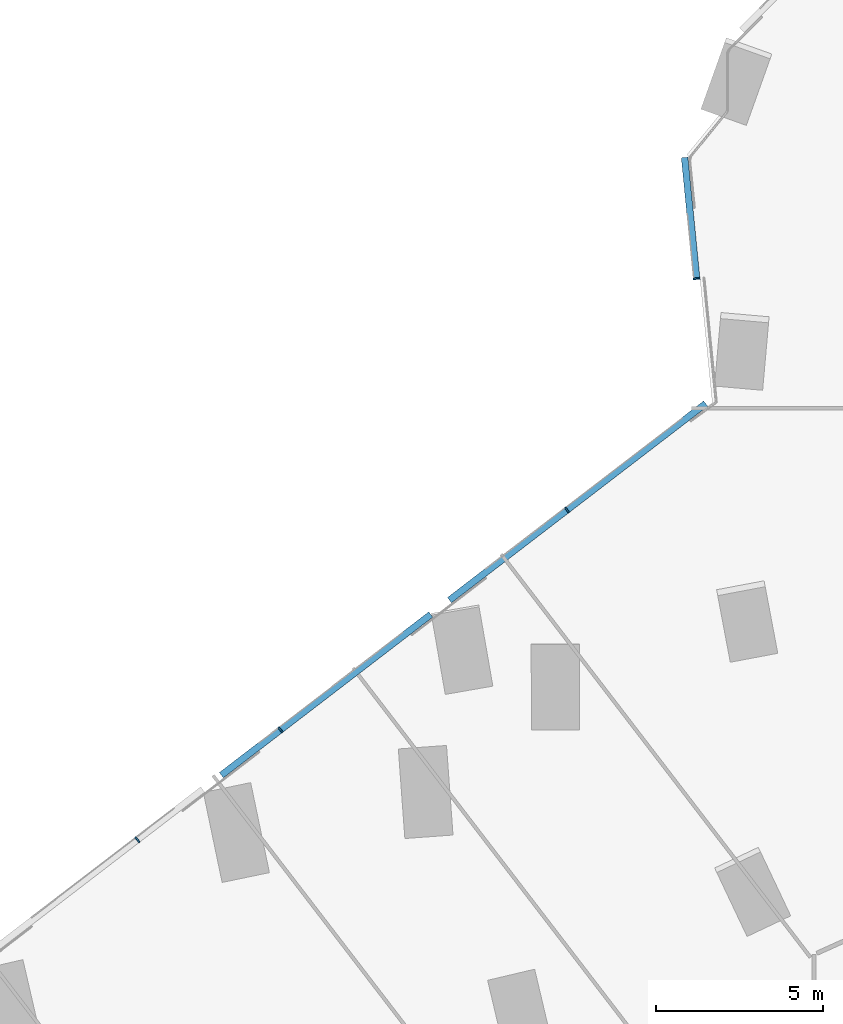
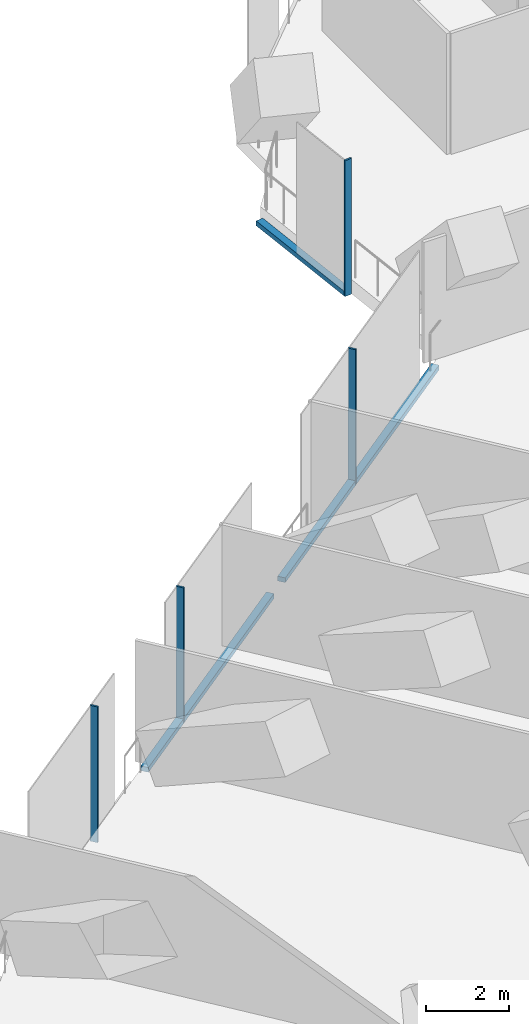
# One storey, part 6 of 32: 7 members, 2 elements without a shape of their own.
"""IFC4 building model written with IfcOpenShell, lengths in metres."""

from ifc_helpers import new_model, si_unit, direction, frame, origin, origin_2d, place, context, subcontext, project, spatial, rectangle, extrude, material, material_profile, profile_set, type_object, element, aggregate, save


model = new_model("IFC4")

# Units and contexts
model_context = context("Model", 3, precision=1e-05, world=origin(), true_north=direction((0.0, 1.0)))
body_context = subcontext(model_context, "Body", "Model", "MODEL_VIEW")
ifc_project = project(units=[si_unit("LENGTHUNIT", "METRE"), si_unit("AREAUNIT", "SQUARE_METRE"), si_unit("VOLUMEUNIT", "CUBIC_METRE"), si_unit("PLANEANGLEUNIT", "RADIAN"), si_unit("MASSUNIT", "GRAM", prefix="KILO")], contexts=[model_context])

# Site, building, storey
site_placement = place(None, origin())
site = spatial("IfcSite", under=ifc_project, at=site_placement, CompositionType="ELEMENT")
building_placement = place(site_placement, origin())
building = spatial("IfcBuilding", under=site, at=building_placement, Name="Orlundy Tower", CompositionType="ELEMENT")
storey_placement = place(building_placement, frame((0.0, 0.0, 33.300048828125)))
storey = spatial("IfcBuildingStorey", under=building, at=storey_placement, Name="L06", CompositionType="ELEMENT", Elevation=33.300048828125)

# Curtain wall, members
ifc_material_1 = material(Name="Aluminium bronze anodised", Category="aluminium")
curtain_wall_type = type_object("IfcCurtainWallType", Name="CW5 wall", PredefinedType="NOTDEFINED", material=ifc_material_1)
curtain_wall_1_placement = place(storey_placement, origin())
curtain_wall_1 = element("IfcCurtainWall", 1, at=curtain_wall_1_placement, inside=storey, type_object=curtain_wall_type, Name="CW5 run 042", PredefinedType="NOTDEFINED")
ifc_material_2 = material(Name="Aluminium bronze anodised", Category="aluminium")
ifc_material_profile_1 = material_profile(ifc_material_2, rectangle(XDim=0.199951171875, YDim=0.050048828125, at=origin_2d()), Name="CW5 mullion 50x200")
ifc_profile_set_1 = profile_set([ifc_material_profile_1], Name="Aluminium bronze anodised")
member_type_1 = type_object("IfcMemberType", Name="CW5 mullion 50x200", PredefinedType="MULLION", material=ifc_profile_set_1)
member_1_placement = place(storey_placement, frame((-47.60302734375, -11.19140625, -0.420166015625), z_axis=(0.0, 0.0, 1.0), x_axis=(-0.608770727739, 0.793346205038, 0.0)))
member_1 = element("IfcMember", 2, at=member_1_placement, type_object=member_type_1, Name="CW5 mullion 71", PredefinedType="MULLION", context=body_context, shape_type="SweptSolid", body=[
    extrude(rectangle(XDim=0.199951171875, YDim=0.050048828125, at=origin_2d()), origin(), (0.0, 0.0, 1.0), 4.0),
])
member_2_placement = place(storey_placement, frame((-43.30224609375, -7.891357421875, -0.420166015625), z_axis=(0.0, 0.0, 1.0), x_axis=(-0.608770727739, 0.793346205038, 0.0)))
member_2 = element("IfcMember", 3, at=member_2_placement, type_object=member_type_1, Name="CW5 mullion 72", PredefinedType="MULLION", context=body_context, shape_type="SweptSolid", body=[
    extrude(rectangle(XDim=0.199951171875, YDim=0.050048828125, at=origin_2d()), origin(), (0.0, 0.0, 1.0), 4.0),
])
member_3_placement = place(storey_placement, frame((-34.70068359375, -1.290771484375, -0.420166015625), z_axis=(0.0, 0.0, 1.0), x_axis=(-0.608770727739, 0.793346205038, 0.0)))
member_3 = element("IfcMember", 4, at=member_3_placement, type_object=member_type_1, Name="CW5 mullion 74", PredefinedType="MULLION", context=body_context, shape_type="SweptSolid", body=[
    extrude(rectangle(XDim=0.199951171875, YDim=0.050048828125, at=origin_2d()), origin(), (0.0, 0.0, 1.0), 4.0),
])

# Curtain wall, member
curtain_wall_2_placement = place(storey_placement, origin())
curtain_wall_2 = element("IfcCurtainWall", 5, at=curtain_wall_2_placement, inside=storey, type_object=curtain_wall_type, Name="CW5 run 043", PredefinedType="NOTDEFINED")
member_4_placement = place(storey_placement, frame((-30.80908203125, 5.65673828125, -0.420166015625), z_axis=(0.0, 0.0, 1.0), x_axis=(-0.995119904998, -0.09867306966, 0.0)))
member_4 = element("IfcMember", 6, at=member_4_placement, type_object=member_type_1, Name="CW5 mullion 76", PredefinedType="MULLION", context=body_context, shape_type="SweptSolid", body=[
    extrude(rectangle(XDim=0.199951171875, YDim=0.050048828125, at=origin_2d()), origin(), (0.0, 0.0, 1.0), 4.0),
])

# Member
ifc_material_3 = material(Name="Aluminium bronze anodised", Category="aluminium")
ifc_material_profile_2 = material_profile(ifc_material_3, rectangle(XDim=0.199951171875, YDim=0.139892578125, at=origin_2d()), Name="CW5 transom 200x140")
ifc_profile_set_2 = profile_set([ifc_material_profile_2], Name="Aluminium bronze anodised")
member_type_2 = type_object("IfcMemberType", Name="CW5 transom 200x140", PredefinedType="USERDEFINED", material=ifc_profile_set_2)
member_5_placement = place(storey_placement, frame((-45.078125, -9.25390625, -0.35009765625), z_axis=(0.793341505595, 0.608776851975, 0.0), x_axis=(-0.608776851975, 0.793341505595, 0.0)))
member_5 = element("IfcMember", 7, at=member_5_placement, type_object=member_type_2, Name="CW5 transom", ObjectType="TRANSOM", PredefinedType="USERDEFINED", context=body_context, shape_type="SweptSolid", body=[
    extrude(rectangle(XDim=0.199951171875, YDim=0.139892578125, at=origin_2d()), origin(), (0.0, 0.0, 1.0), 7.9248046875),
])

member_6_placement = place(storey_placement, frame((-38.228515625, -3.998046875, -0.35009765625), z_axis=(0.793342419491, 0.608775661009, 0.0), x_axis=(-0.608775661009, 0.793342419491, 0.0)))
member_6 = element("IfcMember", 8, at=member_6_placement, type_object=member_type_2, Name="CW5 transom", ObjectType="TRANSOM", PredefinedType="USERDEFINED", context=body_context, shape_type="SweptSolid", body=[
    extrude(rectangle(XDim=0.199951171875, YDim=0.139892578125, at=origin_2d()), origin(), (0.0, 0.0, 1.0), 9.694580078125),
])

aggregate(curtain_wall_1, [member_1, member_2, member_3, member_5, member_6])

member_7_placement = place(storey_placement, frame((-30.8115234375, 5.681396484375, -0.35009765625), z_axis=(-0.098664647586, 0.99512074007, 0.0), x_axis=(-0.99512074007, -0.098664647586, 0.0)))
member_7 = element("IfcMember", 9, at=member_7_placement, type_object=member_type_2, Name="CW5 transom", ObjectType="TRANSOM", PredefinedType="USERDEFINED", context=body_context, shape_type="SweptSolid", body=[
    extrude(rectangle(XDim=0.199951171875, YDim=0.139892578125, at=origin_2d()), origin(), (0.0, 0.0, 1.0), 3.630126953125),
])

aggregate(curtain_wall_2, [member_4, member_7])

save(model, "model.ifc")
